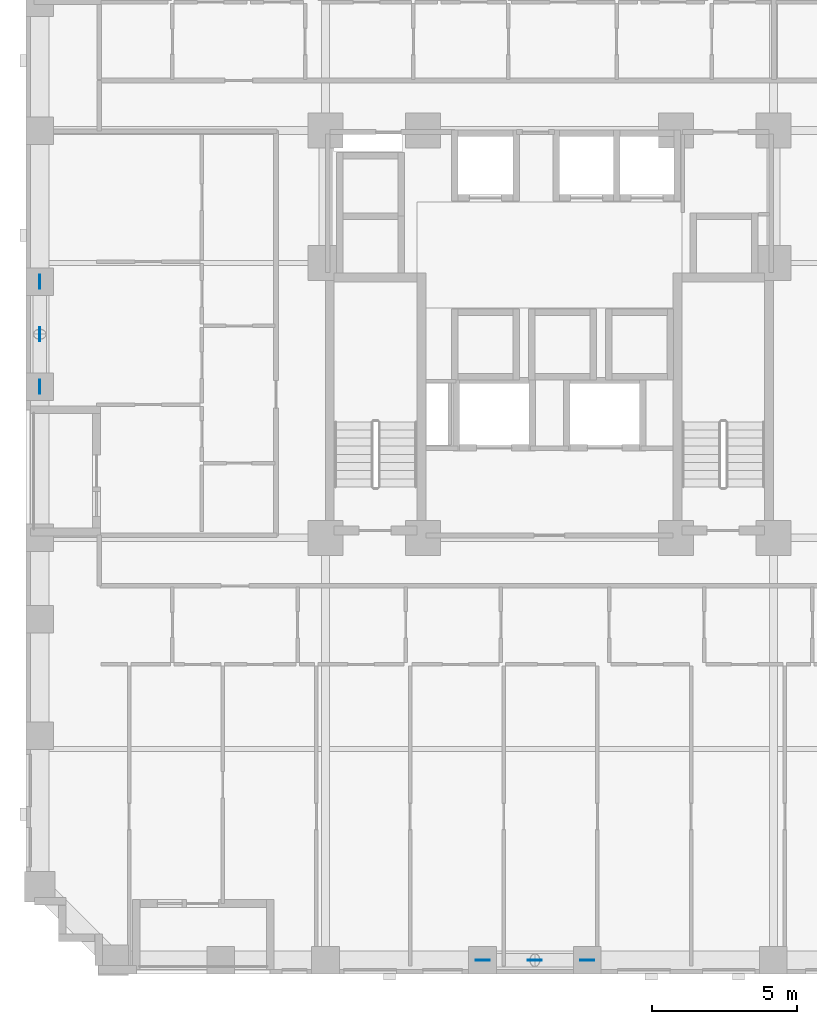
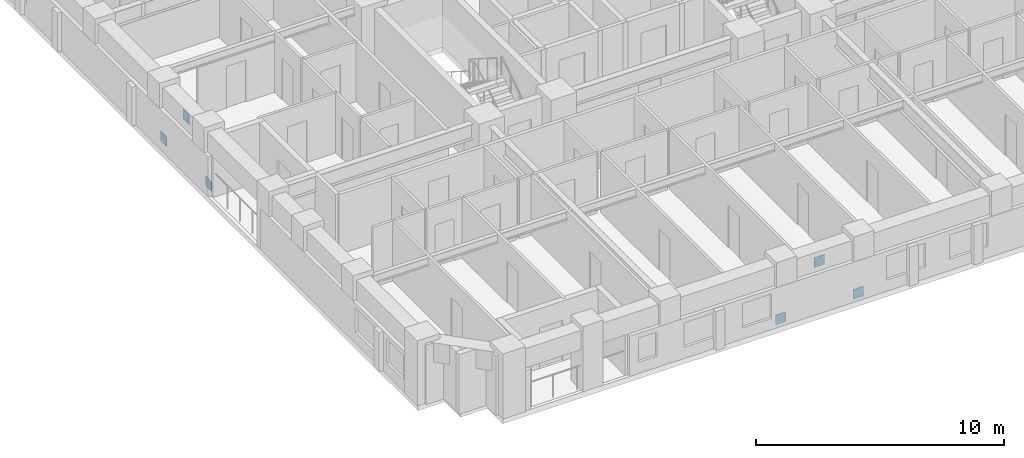
# One storey, part 10 of 14: 6 discrete accessories.
"""IFC4 building model written with IfcOpenShell, lengths in metres."""

from ifc_helpers import new_model, si_unit, derived_unit, direction, frame, origin, origin_2d, place, context, subcontext, project, spatial, rectangle, extrude, material, layer, layer_set, type_object, element, save


model = new_model("IFC4")

# Units and contexts
model_context = context("Model", 3, precision=1e-05, world=origin(), true_north=direction((0.0, 1.0)))
body_context = subcontext(model_context, "Body", "Model", "MODEL_VIEW")
ifc_project = project(units=[si_unit("LENGTHUNIT", "METRE"), si_unit("AREAUNIT", "SQUARE_METRE"), si_unit("VOLUMEUNIT", "CUBIC_METRE"), si_unit("PLANEANGLEUNIT", "RADIAN"), si_unit("MASSUNIT", "GRAM", prefix="KILO"), derived_unit("THERMALTRANSMITTANCEUNIT", [(si_unit("MASSUNIT", "GRAM", prefix="KILO"), 1), (si_unit("TIMEUNIT", "SECOND"), -3), (si_unit("THERMODYNAMICTEMPERATUREUNIT", "KELVIN"), -1)])], contexts=[model_context])

# Site, building, storey
site_placement = place(None, origin())
site = spatial("IfcSite", under=ifc_project, at=site_placement, CompositionType="ELEMENT")
building_placement = place(site_placement, origin())
building = spatial("IfcBuilding", under=site, at=building_placement, Name="Korrvale Station Residences", CompositionType="ELEMENT")
storey_placement = place(building_placement, frame((0.0, 0.0, 29.0)))
storey = spatial("IfcBuildingStorey", under=building, at=storey_placement, Name="L06", CompositionType="ELEMENT", Elevation=29.0)

# Discrete accessories
ifc_material = material(Name="Steel S355", Category="steel")
ifc_layer = layer(ifc_material, 0.02490234375, Name="Steel S355")
ifc_layer_set = layer_set([ifc_layer], Name="Steel S355")
discrete_accessory_type = type_object("IfcDiscreteAccessoryType", Name="ACC-GUSSET-25", PredefinedType="BRACKET", material=ifc_layer_set)
for number, where, z_axis, x_axis, name in (
    (1, (23.199951171875, 0.47998046875, -0.219970703125), (0.0, 0.0, 1.0), (1.0, 0.0, 0.0), "L06 S Brace End Gusset Connection A"),
    (2, (26.800048828125, 0.47998046875, -0.219970703125), (0.0, 0.0, 1.0), (1.0, 0.0, 0.0), "L06 S Brace End Gusset Connection B"),
    (3, (25.0, 0.47998046875, 1.969970703125), (0.0, 0.0, 1.0), (1.0, 0.0, 0.0), "L06 S Brace End Gusset Connection M"),
    (4, (7.97998046875, 20.199951171875, -0.219970703125), (0.0, 0.0, 1.0), (0.0, 1.0, 0.0), "L06 W Brace End Gusset Connection A"),
    (5, (7.97998046875, 23.800048828125, -0.219970703125), (0.0, 0.0, 1.0), (0.0, 1.0, 0.0), "L06 W Brace End Gusset Connection B"),
    (6, (7.97998046875, 22.0, 1.969970703125), (0.0, 0.0, 1.0), (0.0, 1.0, 0.0), "L06 W Brace End Gusset Connection M"),
):
    element("IfcDiscreteAccessory", number, at=place(storey_placement, frame(where, z_axis=z_axis, x_axis=x_axis)), inside=storey, type_object=discrete_accessory_type, Name=name, PredefinedType="BRACKET", context=body_context, shape_type="SweptSolid", body=[
        extrude(rectangle(XDim=0.47998046875, YDim=0.02490234375, at=origin_2d()), origin(), (0.0, 0.0, 1.0), 0.47998046875),
    ])

save(model, "model.ifc")
